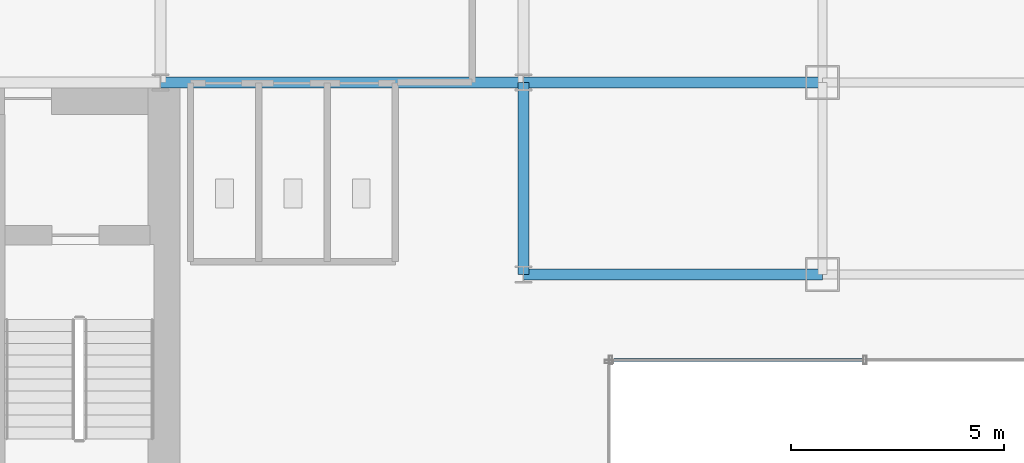
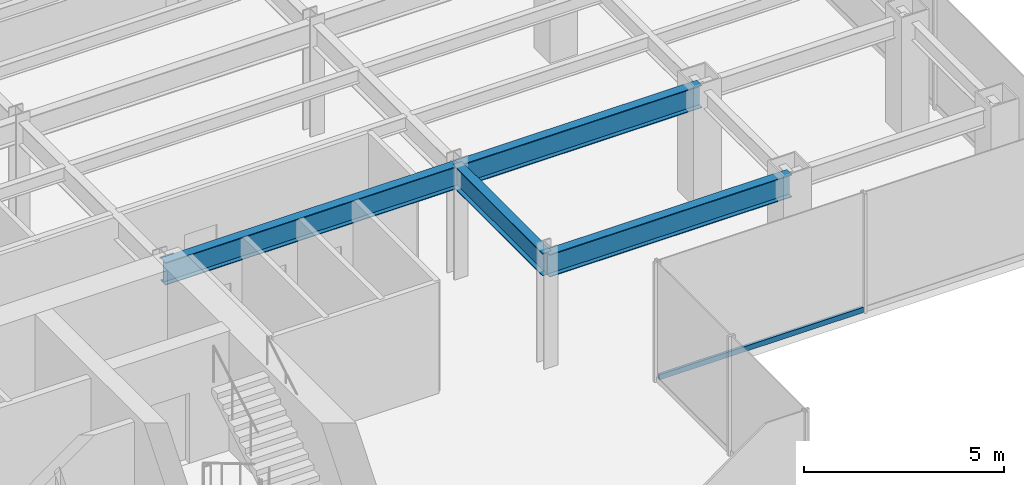
# One storey, part 9 of 26: 4 beams, 1 member, 1 element without a shape of its own.
"""IFC4 building model written with IfcOpenShell, lengths in metres."""

from ifc_helpers import new_model, si_unit, derived_unit, direction, frame, origin, origin_2d, place, context, subcontext, project, spatial, hollow_rectangle, i_section, extrude, source, transform, mapped, material, material_profile, profile_set, type_object, element, aggregate, save


model = new_model("IFC4")

# Units and contexts
model_context = context("Model", 3, precision=1e-05, world=origin(), true_north=direction((0.0, 1.0)))
body_context = subcontext(model_context, "Body", "Model", "MODEL_VIEW")
ifc_project = project(units=[si_unit("LENGTHUNIT", "METRE"), si_unit("AREAUNIT", "SQUARE_METRE"), si_unit("VOLUMEUNIT", "CUBIC_METRE"), si_unit("PLANEANGLEUNIT", "RADIAN"), si_unit("MASSUNIT", "GRAM", prefix="KILO"), derived_unit("THERMALTRANSMITTANCEUNIT", [(si_unit("POWERUNIT", "WATT"), 1), (si_unit("LENGTHUNIT", "METRE"), -2), (si_unit("THERMODYNAMICTEMPERATUREUNIT", "KELVIN"), -1)])], contexts=[model_context])

# Site, building, storey
site_placement = place(None, origin())
site = spatial("IfcSite", under=ifc_project, at=site_placement, CompositionType="ELEMENT")
building_placement = place(site_placement, origin())
building = spatial("IfcBuilding", under=site, at=building_placement, Name="Skarnbrae Concourse Arena and Tower", CompositionType="ELEMENT")
storey_placement = place(building_placement, frame((0.0, 0.0, 128.800048828125)))
storey = spatial("IfcBuildingStorey", under=building, at=storey_placement, Name="L32", CompositionType="ELEMENT", Elevation=128.800048828125)

# Beams
ifc_material_1 = material(Name="Steel CSA G40.21 350W", Category="steel")
ifc_material_profile_1 = material_profile(ifc_material_1, i_section(OverallWidth=0.256103515625, OverallDepth=0.693115234375, WebThickness=0.014404296875, FlangeThickness=0.023681640625, at=origin_2d()), Name="W690X170")
ifc_profile_set_1 = profile_set([ifc_material_profile_1], Name="Steel CSA G40.21 350W")
beam_type = type_object("IfcBeamType", Name="BM-GIRD-W690X170", PredefinedType="BEAM", material=ifc_profile_set_1)
shared_shape_1 = source(origin(), body_context, "Body", "SweptSolid", [
    extrude(i_section(OverallWidth=0.256103515625, OverallDepth=0.693115234375, WebThickness=0.014404296875, FlangeThickness=0.023681640625, at=origin_2d()), origin(), (0.0, 0.0, 1.0), 7.0),
])
for number, where, z_axis, x_axis, name in (
    (1, (42.0, 9.5, 3.053466796875), (1.0, 0.0, 0.0), (0.0, 1.0, 0.0), "L32 Primary E-W girder Y9.5-2"),
    (2, (42.0, 14.0, 3.053466796875), (1.0, 0.0, 0.0), (0.0, 1.0, 0.0), "L32 Primary E-W girder Y14.0-7"),
):
    element("IfcBeam", number, at=place(storey_placement, frame(where, z_axis=z_axis, x_axis=x_axis)), inside=storey, type_object=beam_type, Name=name, PredefinedType="BEAM", context=body_context, shape_type="MappedRepresentation", body=[
        mapped(shared_shape_1, transform((0.0, 0.0, 0.0))),
    ])
shared_shape_2 = source(origin(), body_context, "Body", "SweptSolid", [
    extrude(i_section(OverallWidth=0.256103515625, OverallDepth=0.693115234375, WebThickness=0.014404296875, FlangeThickness=0.023681640625, at=origin_2d()), origin(), (0.0, 0.0, 1.0), 8.5),
])
beam_1_placement = place(storey_placement, frame((33.5, 14.0, 3.053466796875), z_axis=(1.0, 0.0, 0.0), x_axis=(0.0, 1.0, 0.0)))
element("IfcBeam", 3, at=beam_1_placement, inside=storey, type_object=beam_type, Name="L32 Primary E-W girder Y14.0-6", PredefinedType="BEAM", context=body_context, shape_type="MappedRepresentation", body=[
    mapped(shared_shape_2, transform((0.0, 0.0, 0.0))),
])
shared_shape_3 = source(origin(), body_context, "Body", "SweptSolid", [
    extrude(i_section(OverallWidth=0.256103515625, OverallDepth=0.693115234375, WebThickness=0.014404296875, FlangeThickness=0.023681640625, at=origin_2d()), origin(), (0.0, 0.0, 1.0), 4.5),
])
beam_2_placement = place(storey_placement, frame((42.0, 9.5, 3.053466796875), z_axis=(0.0, 1.0, 0.0), x_axis=(-1.0, 0.0, 0.0)))
element("IfcBeam", 4, at=beam_2_placement, inside=storey, type_object=beam_type, Name="L32 Primary N-S girder X42.0-1", PredefinedType="BEAM", context=body_context, shape_type="MappedRepresentation", body=[
    mapped(shared_shape_3, transform((0.0, 0.0, 0.0))),
])

# Curtain wall, member
ifc_material_2 = material(Name="Bronze anodised aluminium 6063-T6", Category="aluminium")
curtain_wall_type = type_object("IfcCurtainWallType", Name="CW-SYS-04-MIDZONE", PredefinedType="USERDEFINED", material=ifc_material_2)
curtain_wall_placement = place(storey_placement, origin())
curtain_wall = element("IfcCurtainWall", 5, at=curtain_wall_placement, inside=storey, type_object=curtain_wall_type, Name="L32 Unitised curtain wall CW-L32-E03", ObjectType="UNITISED CURTAIN WALL", PredefinedType="USERDEFINED")
ifc_material_profile_2 = material_profile(ifc_material_2, hollow_rectangle(XDim=0.074951171875, YDim=0.159912109375, WallThickness=0.00439453125, at=origin_2d()), Name="ALU-TRAN-75X160")
ifc_profile_set_2 = profile_set([ifc_material_profile_2], Name="Bronze anodised aluminium 6063-T6")
member_type = type_object("IfcMemberType", Name="CWT-CW-04", PredefinedType="USERDEFINED", material=ifc_profile_set_2)
shared_shape_4 = source(origin(), body_context, "Body", "SweptSolid", [
    extrude(hollow_rectangle(XDim=0.074951171875, YDim=0.159912109375, WallThickness=0.00439453125, at=origin_2d()), origin(), (0.0, 0.0, 1.0), 5.887451171875),
])
member_placement = place(storey_placement, frame((44.074951171875, 7.5, 0.079833984375), z_axis=(1.0, 0.0, 0.0), x_axis=(0.0, 1.0, 0.0)))
member = element("IfcMember", 6, at=member_placement, type_object=member_type, Name="CW-L32-E03 Transom 1", ObjectType="TRANSOM", PredefinedType="USERDEFINED", context=body_context, shape_type="MappedRepresentation", body=[
    mapped(shared_shape_4, transform((0.0, 0.0, 0.0))),
])
aggregate(curtain_wall, [member])

save(model, "model.ifc")
